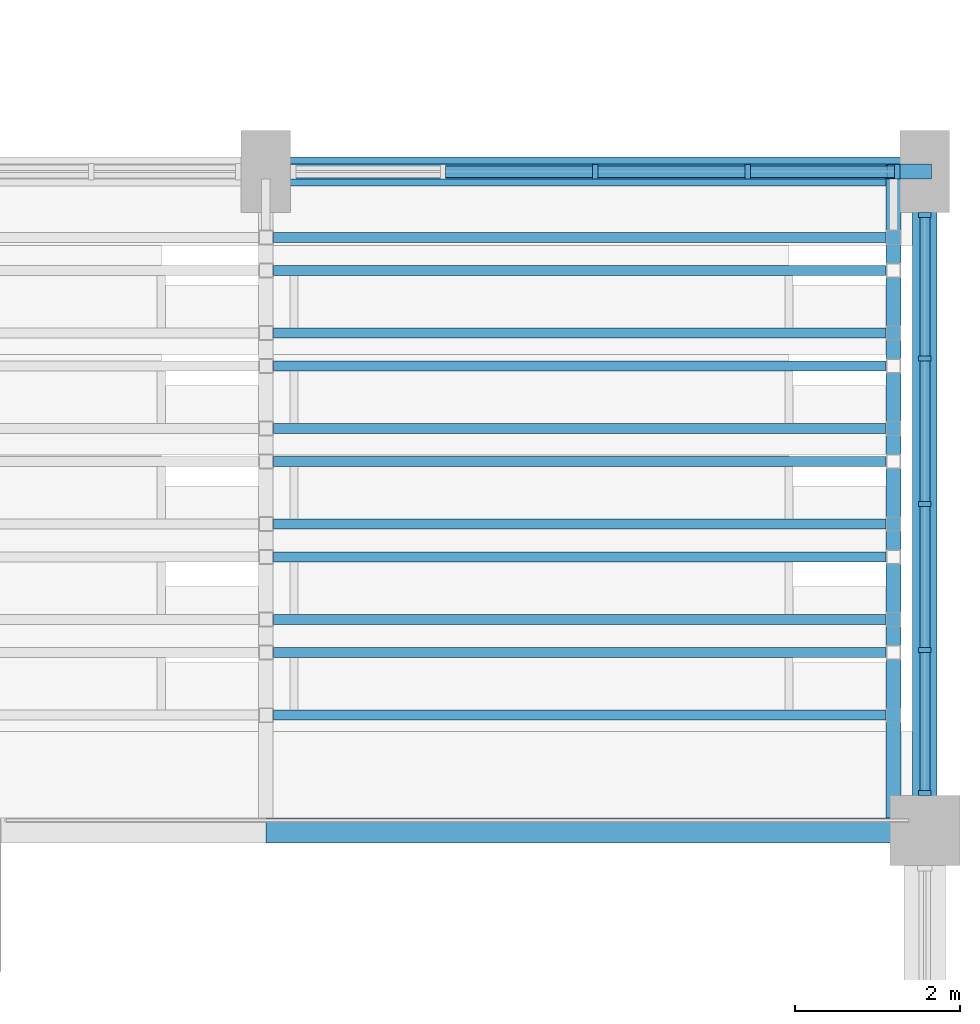
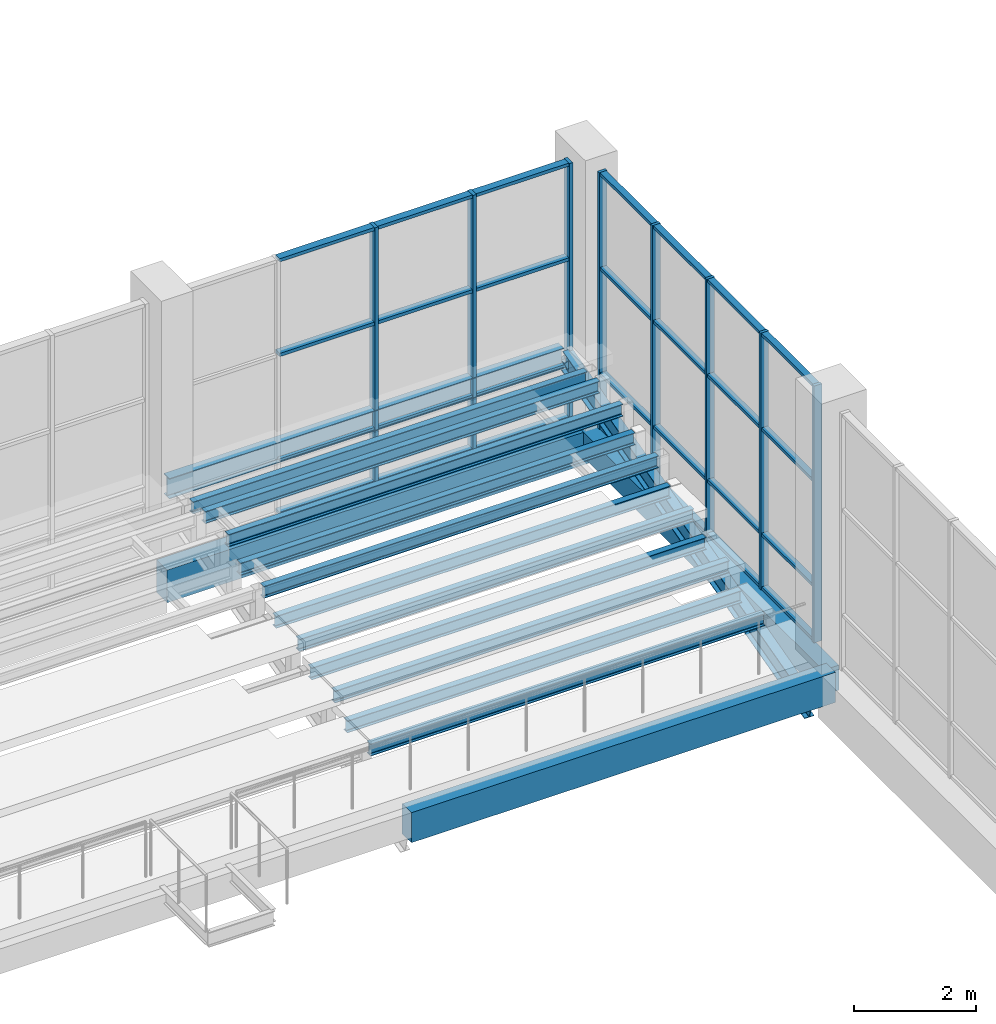
# One storey, part 57 of 122: 37 members, 16 beams, 2 elements without a shape of their own.
"""IFC4 building model written with IfcOpenShell, lengths in metres."""

from ifc_helpers import new_model, si_unit, direction, frame, origin, origin_2d, place, context, subcontext, project, spatial, rectangle, hollow_rectangle, i_section, extrude, material, material_profile, profile_set, type_object, element, aggregate, save


model = new_model("IFC4")

# Units and contexts
model_context = context("Model", 3, precision=1e-05, world=origin(), true_north=direction((0.0, 1.0)))
body_context = subcontext(model_context, "Body", "Model", "MODEL_VIEW")
ifc_project = project(units=[si_unit("LENGTHUNIT", "METRE"), si_unit("AREAUNIT", "SQUARE_METRE"), si_unit("VOLUMEUNIT", "CUBIC_METRE"), si_unit("PLANEANGLEUNIT", "RADIAN"), si_unit("MASSUNIT", "GRAM", prefix="KILO")], contexts=[model_context])

# Site, building, storey
site_placement = place(None, origin())
site = spatial("IfcSite", under=ifc_project, at=site_placement, CompositionType="ELEMENT")
building_placement = place(site_placement, origin())
building = spatial("IfcBuilding", under=site, at=building_placement, Name="Tenunan Teduh Sports Hall", CompositionType="ELEMENT")
storey_placement = place(building_placement, frame((0.0, 0.0, 5.39990234375)))
storey = spatial("IfcBuildingStorey", under=building, at=storey_placement, Name="L01", CompositionType="ELEMENT", Elevation=5.39990234375)

# Beams
ifc_material_1 = material(Name="Concrete C40/50", Category="concrete")
ifc_material_profile_1 = material_profile(ifc_material_1, rectangle(XDim=0.300048828125, YDim=0.5, at=origin_2d()), Name="RCB 300x500")
ifc_profile_set_1 = profile_set([ifc_material_profile_1], Name="Concrete C40/50")
beam_type_1 = type_object("IfcBeamType", Name="BM-RC-300x500", PredefinedType="BEAM", material=ifc_profile_set_1)
beam_1_placement = place(storey_placement, frame((170.0, 38.0, -0.510009765625), z_axis=(0.0, 1.0, 0.0), x_axis=(-1.0, 0.0, 0.0)))
element("IfcBeam", 1, at=beam_1_placement, inside=storey, type_object=beam_type_1, Name="BM-B-01-L01-1307", PredefinedType="BEAM", context=body_context, shape_type="SweptSolid", body=[
    extrude(rectangle(XDim=0.300048828125, YDim=0.5, at=origin_2d()), origin(), (0.0, 0.0, 1.0), 8.0),
])
ifc_material_2 = material(Name="Concrete C40/50", Category="concrete")
ifc_material_profile_2 = material_profile(ifc_material_2, rectangle(XDim=0.300048828125, YDim=0.60009765625, at=origin_2d()), Name="RCB 300x600")
ifc_profile_set_2 = profile_set([ifc_material_profile_2], Name="Concrete C40/50")
beam_type_2 = type_object("IfcBeamType", Name="BM-RC-300x600", PredefinedType="BEAM", material=ifc_profile_set_2)
beam_2_placement = place(storey_placement, frame((162.0, 38.0, -0.559814453125), z_axis=(1.0, 0.0, 0.0), x_axis=(0.0, 1.0, 0.0)))
element("IfcBeam", 2, at=beam_2_placement, inside=storey, type_object=beam_type_2, Name="BM-B-03-L01-1069", PredefinedType="BEAM", context=body_context, shape_type="SweptSolid", body=[
    extrude(rectangle(XDim=0.300048828125, YDim=0.60009765625, at=origin_2d()), origin(), (0.0, 0.0, 1.0), 8.0),
])
ifc_material_3 = material(Name="Concrete C40/50", Category="concrete")
ifc_material_profile_3 = material_profile(ifc_material_3, rectangle(XDim=0.35009765625, YDim=0.64990234375, at=origin_2d()), Name="RCB 350x650")
ifc_profile_set_3 = profile_set([ifc_material_profile_3], Name="Concrete C40/50")
beam_type_3 = type_object("IfcBeamType", Name="BM-RC-350x650", PredefinedType="BEAM", material=ifc_profile_set_3)
beam_3_placement = place(storey_placement, frame((162.0, 46.0, -0.5849609375), z_axis=(1.0, 0.0, 0.0), x_axis=(0.0, 1.0, 0.0)))
element("IfcBeam", 3, at=beam_3_placement, inside=storey, type_object=beam_type_3, Name="BM-B-05-L01-1087", PredefinedType="BEAM", context=body_context, shape_type="SweptSolid", body=[
    extrude(rectangle(XDim=0.35009765625, YDim=0.64990234375, at=origin_2d()), origin(), (0.0, 0.0, 1.0), 8.0),
])

# Curtain wall, members
ifc_material_4 = material(Name="Anodised aluminium", Category="aluminium")
curtain_wall_type = type_object("IfcCurtainWallType", Name="CW-UNIT-1", PredefinedType="NOTDEFINED", material=ifc_material_4)
curtain_wall_1_placement = place(storey_placement, origin())
curtain_wall_1 = element("IfcCurtainWall", 4, at=curtain_wall_1_placement, inside=storey, type_object=curtain_wall_type, Name="CW-CWM-150-L01-019", PredefinedType="NOTDEFINED")
ifc_material_5 = material(Name="Anodised aluminium", Category="aluminium")
ifc_material_profile_4 = material_profile(ifc_material_5, rectangle(XDim=0.06005859375, YDim=0.14990234375, at=origin_2d()), Name="CWM 60x150")
ifc_profile_set_4 = profile_set([ifc_material_profile_4], Name="Anodised aluminium")
member_type_1 = type_object("IfcMemberType", Name="CWM-150", PredefinedType="MULLION", material=ifc_profile_set_4)
member_1_placement = place(storey_placement, frame((170.0, 38.455078125, 0.0), z_axis=(0.0, 0.0, 1.0), x_axis=(0.0, 1.0, 0.0)))
member_1 = element("IfcMember", 5, at=member_1_placement, type_object=member_type_1, Name="CW-01 mullion 1", PredefinedType="MULLION", context=body_context, shape_type="SweptSolid", body=[
    extrude(rectangle(XDim=0.06005859375, YDim=0.14990234375, at=origin_2d()), origin(), (0.0, 0.0, 1.0), 5.1201171875),
])
member_2_placement = place(storey_placement, frame((170.0, 40.19384765625, 0.0), z_axis=(0.0, 0.0, 1.0), x_axis=(0.0, 1.0, 0.0)))
member_2 = element("IfcMember", 6, at=member_2_placement, type_object=member_type_1, Name="CW-01 mullion 2", PredefinedType="MULLION", context=body_context, shape_type="SweptSolid", body=[
    extrude(rectangle(XDim=0.06005859375, YDim=0.14990234375, at=origin_2d()), origin(), (0.0, 0.0, 1.0), 5.1201171875),
])
member_3_placement = place(storey_placement, frame((170.0, 41.96240234375, 0.0), z_axis=(0.0, 0.0, 1.0), x_axis=(0.0, 1.0, 0.0)))
member_3 = element("IfcMember", 7, at=member_3_placement, type_object=member_type_1, Name="CW-01 mullion 3", PredefinedType="MULLION", context=body_context, shape_type="SweptSolid", body=[
    extrude(rectangle(XDim=0.06005859375, YDim=0.14990234375, at=origin_2d()), origin(), (0.0, 0.0, 1.0), 5.1201171875),
])
member_4_placement = place(storey_placement, frame((170.0, 43.731201171875, 0.0), z_axis=(0.0, 0.0, 1.0), x_axis=(0.0, 1.0, 0.0)))
member_4 = element("IfcMember", 8, at=member_4_placement, type_object=member_type_1, Name="CW-01 mullion 4", PredefinedType="MULLION", context=body_context, shape_type="SweptSolid", body=[
    extrude(rectangle(XDim=0.06005859375, YDim=0.14990234375, at=origin_2d()), origin(), (0.0, 0.0, 1.0), 5.1201171875),
])
member_5_placement = place(storey_placement, frame((170.0, 45.469970703125, 0.0), z_axis=(0.0, 0.0, 1.0), x_axis=(0.0, 1.0, 0.0)))
member_5 = element("IfcMember", 9, at=member_5_placement, type_object=member_type_1, Name="CW-01 mullion 5", PredefinedType="MULLION", context=body_context, shape_type="SweptSolid", body=[
    extrude(rectangle(XDim=0.06005859375, YDim=0.14990234375, at=origin_2d()), origin(), (0.0, 0.0, 1.0), 5.1201171875),
])

curtain_wall_2_placement = place(storey_placement, origin())
curtain_wall_2 = element("IfcCurtainWall", 10, at=curtain_wall_2_placement, inside=storey, type_object=curtain_wall_type, Name="CW-CWM-175-L01-014", PredefinedType="NOTDEFINED")
ifc_material_6 = material(Name="Anodised aluminium", Category="aluminium")
ifc_material_profile_5 = material_profile(ifc_material_6, rectangle(XDim=0.06494140625, YDim=0.175048828125, at=origin_2d()), Name="CWM 65x175")
ifc_profile_set_5 = profile_set([ifc_material_profile_5], Name="Anodised aluminium")
member_type_2 = type_object("IfcMemberType", Name="CWM-175", PredefinedType="MULLION", material=ifc_profile_set_5)
member_6_placement = place(storey_placement, frame((166.0, 46.0, 0.0), z_axis=(0.0, 0.0, 1.0), x_axis=(1.0, 0.0, 0.0)))
member_6 = element("IfcMember", 11, at=member_6_placement, type_object=member_type_2, Name="CW-01 mullion 3", PredefinedType="MULLION", context=body_context, shape_type="SweptSolid", body=[
    extrude(rectangle(XDim=0.06494140625, YDim=0.175048828125, at=origin_2d()), origin(), (0.0, 0.0, 1.0), 5.1201171875),
])
member_7_placement = place(storey_placement, frame((167.85009765625, 46.0, 0.0), z_axis=(0.0, 0.0, 1.0), x_axis=(1.0, 0.0, 0.0)))
member_7 = element("IfcMember", 12, at=member_7_placement, type_object=member_type_2, Name="CW-01 mullion 4", PredefinedType="MULLION", context=body_context, shape_type="SweptSolid", body=[
    extrude(rectangle(XDim=0.06494140625, YDim=0.175048828125, at=origin_2d()), origin(), (0.0, 0.0, 1.0), 5.1201171875),
])
member_8_placement = place(storey_placement, frame((169.66748046875, 46.0, 0.0), z_axis=(0.0, 0.0, 1.0), x_axis=(1.0, 0.0, 0.0)))
member_8 = element("IfcMember", 13, at=member_8_placement, type_object=member_type_2, Name="CW-01 mullion 5", PredefinedType="MULLION", context=body_context, shape_type="SweptSolid", body=[
    extrude(rectangle(XDim=0.06494140625, YDim=0.175048828125, at=origin_2d()), origin(), (0.0, 0.0, 1.0), 5.1201171875),
])

# Member
ifc_material_7 = material(Name="Anodised aluminium", Category="aluminium")
ifc_material_profile_6 = material_profile(ifc_material_7, rectangle(XDim=0.06005859375, YDim=0.1201171875, at=origin_2d()), Name="CWT 60x120")
ifc_profile_set_6 = profile_set([ifc_material_profile_6], Name="Anodised aluminium")
member_type_3 = type_object("IfcMemberType", Name="CWT-125", PredefinedType="USERDEFINED", material=ifc_profile_set_6)
member_9_placement = place(storey_placement, frame((170.0, 38.485107421875, 0.030029296875), z_axis=(0.0, 1.0, 0.0), x_axis=(0.0, 0.0, 1.0)))
member_9 = element("IfcMember", 14, at=member_9_placement, type_object=member_type_3, Name="CW-01 transom 1.1", ObjectType="TRANSOM", PredefinedType="USERDEFINED", context=body_context, shape_type="SweptSolid", body=[
    extrude(rectangle(XDim=0.06005859375, YDim=0.1201171875, at=origin_2d()), origin(), (0.0, 0.0, 1.0), 1.6787109375),
])

member_10_placement = place(storey_placement, frame((170.0, 38.485107421875, 1.10009765625), z_axis=(0.0, 1.0, 0.0), x_axis=(0.0, 0.0, 1.0)))
member_10 = element("IfcMember", 15, at=member_10_placement, type_object=member_type_3, Name="CW-01 transom 1.2", ObjectType="TRANSOM", PredefinedType="USERDEFINED", context=body_context, shape_type="SweptSolid", body=[
    extrude(rectangle(XDim=0.06005859375, YDim=0.1201171875, at=origin_2d()), origin(), (0.0, 0.0, 1.0), 1.6787109375),
])

member_11_placement = place(storey_placement, frame((170.0, 38.485107421875, 3.2001953125), z_axis=(0.0, 1.0, 0.0), x_axis=(0.0, 0.0, 1.0)))
member_11 = element("IfcMember", 16, at=member_11_placement, type_object=member_type_3, Name="CW-01 transom 1.3", ObjectType="TRANSOM", PredefinedType="USERDEFINED", context=body_context, shape_type="SweptSolid", body=[
    extrude(rectangle(XDim=0.06005859375, YDim=0.1201171875, at=origin_2d()), origin(), (0.0, 0.0, 1.0), 1.6787109375),
])

member_12_placement = place(storey_placement, frame((170.0, 38.485107421875, 5.090087890625), z_axis=(0.0, 1.0, 0.0), x_axis=(0.0, 0.0, 1.0)))
member_12 = element("IfcMember", 17, at=member_12_placement, type_object=member_type_3, Name="CW-01 transom 1.4", ObjectType="TRANSOM", PredefinedType="USERDEFINED", context=body_context, shape_type="SweptSolid", body=[
    extrude(rectangle(XDim=0.06005859375, YDim=0.1201171875, at=origin_2d()), origin(), (0.0, 0.0, 1.0), 1.6787109375),
])

member_13_placement = place(storey_placement, frame((170.0, 40.2236328125, 0.030029296875), z_axis=(0.0, 1.0, 0.0), x_axis=(0.0, 0.0, 1.0)))
member_13 = element("IfcMember", 18, at=member_13_placement, type_object=member_type_3, Name="CW-01 transom 2.1", ObjectType="TRANSOM", PredefinedType="USERDEFINED", context=body_context, shape_type="SweptSolid", body=[
    extrude(rectangle(XDim=0.06005859375, YDim=0.1201171875, at=origin_2d()), origin(), (0.0, 0.0, 1.0), 1.708984375),
])

member_14_placement = place(storey_placement, frame((170.0, 40.2236328125, 1.10009765625), z_axis=(0.0, 1.0, 0.0), x_axis=(0.0, 0.0, 1.0)))
member_14 = element("IfcMember", 19, at=member_14_placement, type_object=member_type_3, Name="CW-01 transom 2.2", ObjectType="TRANSOM", PredefinedType="USERDEFINED", context=body_context, shape_type="SweptSolid", body=[
    extrude(rectangle(XDim=0.06005859375, YDim=0.1201171875, at=origin_2d()), origin(), (0.0, 0.0, 1.0), 1.708984375),
])

member_15_placement = place(storey_placement, frame((170.0, 40.2236328125, 3.2001953125), z_axis=(0.0, 1.0, 0.0), x_axis=(0.0, 0.0, 1.0)))
member_15 = element("IfcMember", 20, at=member_15_placement, type_object=member_type_3, Name="CW-01 transom 2.3", ObjectType="TRANSOM", PredefinedType="USERDEFINED", context=body_context, shape_type="SweptSolid", body=[
    extrude(rectangle(XDim=0.06005859375, YDim=0.1201171875, at=origin_2d()), origin(), (0.0, 0.0, 1.0), 1.708984375),
])

member_16_placement = place(storey_placement, frame((170.0, 40.2236328125, 5.090087890625), z_axis=(0.0, 1.0, 0.0), x_axis=(0.0, 0.0, 1.0)))
member_16 = element("IfcMember", 21, at=member_16_placement, type_object=member_type_3, Name="CW-01 transom 2.4", ObjectType="TRANSOM", PredefinedType="USERDEFINED", context=body_context, shape_type="SweptSolid", body=[
    extrude(rectangle(XDim=0.06005859375, YDim=0.1201171875, at=origin_2d()), origin(), (0.0, 0.0, 1.0), 1.708984375),
])

member_17_placement = place(storey_placement, frame((170.0, 41.992431640625, 0.030029296875), z_axis=(0.0, 1.0, 0.0), x_axis=(0.0, 0.0, 1.0)))
member_17 = element("IfcMember", 22, at=member_17_placement, type_object=member_type_3, Name="CW-01 transom 3.1", ObjectType="TRANSOM", PredefinedType="USERDEFINED", context=body_context, shape_type="SweptSolid", body=[
    extrude(rectangle(XDim=0.06005859375, YDim=0.1201171875, at=origin_2d()), origin(), (0.0, 0.0, 1.0), 1.708740234375),
])

member_18_placement = place(storey_placement, frame((170.0, 41.992431640625, 1.10009765625), z_axis=(0.0, 1.0, 0.0), x_axis=(0.0, 0.0, 1.0)))
member_18 = element("IfcMember", 23, at=member_18_placement, type_object=member_type_3, Name="CW-01 transom 3.2", ObjectType="TRANSOM", PredefinedType="USERDEFINED", context=body_context, shape_type="SweptSolid", body=[
    extrude(rectangle(XDim=0.06005859375, YDim=0.1201171875, at=origin_2d()), origin(), (0.0, 0.0, 1.0), 1.708740234375),
])

member_19_placement = place(storey_placement, frame((170.0, 41.992431640625, 3.2001953125), z_axis=(0.0, 1.0, 0.0), x_axis=(0.0, 0.0, 1.0)))
member_19 = element("IfcMember", 24, at=member_19_placement, type_object=member_type_3, Name="CW-01 transom 3.3", ObjectType="TRANSOM", PredefinedType="USERDEFINED", context=body_context, shape_type="SweptSolid", body=[
    extrude(rectangle(XDim=0.06005859375, YDim=0.1201171875, at=origin_2d()), origin(), (0.0, 0.0, 1.0), 1.708740234375),
])

member_20_placement = place(storey_placement, frame((170.0, 41.992431640625, 5.090087890625), z_axis=(0.0, 1.0, 0.0), x_axis=(0.0, 0.0, 1.0)))
member_20 = element("IfcMember", 25, at=member_20_placement, type_object=member_type_3, Name="CW-01 transom 3.4", ObjectType="TRANSOM", PredefinedType="USERDEFINED", context=body_context, shape_type="SweptSolid", body=[
    extrude(rectangle(XDim=0.06005859375, YDim=0.1201171875, at=origin_2d()), origin(), (0.0, 0.0, 1.0), 1.708740234375),
])

member_21_placement = place(storey_placement, frame((170.0, 43.76123046875, 0.030029296875), z_axis=(0.0, 1.0, 0.0), x_axis=(0.0, 0.0, 1.0)))
member_21 = element("IfcMember", 26, at=member_21_placement, type_object=member_type_3, Name="CW-01 transom 4.1", ObjectType="TRANSOM", PredefinedType="USERDEFINED", context=body_context, shape_type="SweptSolid", body=[
    extrude(rectangle(XDim=0.06005859375, YDim=0.1201171875, at=origin_2d()), origin(), (0.0, 0.0, 1.0), 1.6787109375),
])

member_22_placement = place(storey_placement, frame((170.0, 43.76123046875, 1.10009765625), z_axis=(0.0, 1.0, 0.0), x_axis=(0.0, 0.0, 1.0)))
member_22 = element("IfcMember", 27, at=member_22_placement, type_object=member_type_3, Name="CW-01 transom 4.2", ObjectType="TRANSOM", PredefinedType="USERDEFINED", context=body_context, shape_type="SweptSolid", body=[
    extrude(rectangle(XDim=0.06005859375, YDim=0.1201171875, at=origin_2d()), origin(), (0.0, 0.0, 1.0), 1.6787109375),
])

member_23_placement = place(storey_placement, frame((170.0, 43.76123046875, 3.2001953125), z_axis=(0.0, 1.0, 0.0), x_axis=(0.0, 0.0, 1.0)))
member_23 = element("IfcMember", 28, at=member_23_placement, type_object=member_type_3, Name="CW-01 transom 4.3", ObjectType="TRANSOM", PredefinedType="USERDEFINED", context=body_context, shape_type="SweptSolid", body=[
    extrude(rectangle(XDim=0.06005859375, YDim=0.1201171875, at=origin_2d()), origin(), (0.0, 0.0, 1.0), 1.6787109375),
])

member_24_placement = place(storey_placement, frame((170.0, 43.76123046875, 5.090087890625), z_axis=(0.0, 1.0, 0.0), x_axis=(0.0, 0.0, 1.0)))
member_24 = element("IfcMember", 29, at=member_24_placement, type_object=member_type_3, Name="CW-01 transom 4.4", ObjectType="TRANSOM", PredefinedType="USERDEFINED", context=body_context, shape_type="SweptSolid", body=[
    extrude(rectangle(XDim=0.06005859375, YDim=0.1201171875, at=origin_2d()), origin(), (0.0, 0.0, 1.0), 1.6787109375),
])

aggregate(curtain_wall_1, [member_1, member_2, member_3, member_4, member_5, member_9, member_10, member_11, member_12, member_13, member_14, member_15, member_16, member_17, member_18, member_19, member_20, member_21, member_22, member_23, member_24])

ifc_material_8 = material(Name="Anodised aluminium", Category="aluminium")
ifc_material_profile_7 = material_profile(ifc_material_8, rectangle(XDim=0.06494140625, YDim=0.139892578125, at=origin_2d()), Name="CWT 65x140")
ifc_profile_set_7 = profile_set([ifc_material_profile_7], Name="Anodised aluminium")
member_type_4 = type_object("IfcMemberType", Name="CWT-150", PredefinedType="USERDEFINED", material=ifc_profile_set_7)
member_25_placement = place(storey_placement, frame((164.1826171875, 46.0, 0.03271484375), z_axis=(1.0, 0.0, 0.0), x_axis=(0.0, 0.0, 1.0)))
member_25 = element("IfcMember", 30, at=member_25_placement, type_object=member_type_4, Name="CW-01 transom 2.1", ObjectType="TRANSOM", PredefinedType="USERDEFINED", context=body_context, shape_type="SweptSolid", body=[
    extrude(rectangle(XDim=0.06494140625, YDim=0.139892578125, at=origin_2d()), origin(), (0.0, 0.0, 1.0), 1.784912109375),
])

member_26_placement = place(storey_placement, frame((164.1826171875, 46.0, 1.10009765625), z_axis=(1.0, 0.0, 0.0), x_axis=(0.0, 0.0, 1.0)))
member_26 = element("IfcMember", 31, at=member_26_placement, type_object=member_type_4, Name="CW-01 transom 2.2", ObjectType="TRANSOM", PredefinedType="USERDEFINED", context=body_context, shape_type="SweptSolid", body=[
    extrude(rectangle(XDim=0.06494140625, YDim=0.139892578125, at=origin_2d()), origin(), (0.0, 0.0, 1.0), 1.784912109375),
])

member_27_placement = place(storey_placement, frame((164.1826171875, 46.0, 3.2001953125), z_axis=(1.0, 0.0, 0.0), x_axis=(0.0, 0.0, 1.0)))
member_27 = element("IfcMember", 32, at=member_27_placement, type_object=member_type_4, Name="CW-01 transom 2.3", ObjectType="TRANSOM", PredefinedType="USERDEFINED", context=body_context, shape_type="SweptSolid", body=[
    extrude(rectangle(XDim=0.06494140625, YDim=0.139892578125, at=origin_2d()), origin(), (0.0, 0.0, 1.0), 1.784912109375),
])

member_28_placement = place(storey_placement, frame((164.1826171875, 46.0, 5.087646484375), z_axis=(1.0, 0.0, 0.0), x_axis=(0.0, 0.0, 1.0)))
member_28 = element("IfcMember", 33, at=member_28_placement, type_object=member_type_4, Name="CW-01 transom 2.4", ObjectType="TRANSOM", PredefinedType="USERDEFINED", context=body_context, shape_type="SweptSolid", body=[
    extrude(rectangle(XDim=0.06494140625, YDim=0.139892578125, at=origin_2d()), origin(), (0.0, 0.0, 1.0), 1.784912109375),
])

member_29_placement = place(storey_placement, frame((166.032470703125, 46.0, 0.03271484375), z_axis=(1.0, 0.0, 0.0), x_axis=(0.0, 0.0, 1.0)))
member_29 = element("IfcMember", 34, at=member_29_placement, type_object=member_type_4, Name="CW-01 transom 3.1", ObjectType="TRANSOM", PredefinedType="USERDEFINED", context=body_context, shape_type="SweptSolid", body=[
    extrude(rectangle(XDim=0.06494140625, YDim=0.139892578125, at=origin_2d()), origin(), (0.0, 0.0, 1.0), 1.784912109375),
])

member_30_placement = place(storey_placement, frame((166.032470703125, 46.0, 1.10009765625), z_axis=(1.0, 0.0, 0.0), x_axis=(0.0, 0.0, 1.0)))
member_30 = element("IfcMember", 35, at=member_30_placement, type_object=member_type_4, Name="CW-01 transom 3.2", ObjectType="TRANSOM", PredefinedType="USERDEFINED", context=body_context, shape_type="SweptSolid", body=[
    extrude(rectangle(XDim=0.06494140625, YDim=0.139892578125, at=origin_2d()), origin(), (0.0, 0.0, 1.0), 1.784912109375),
])

member_31_placement = place(storey_placement, frame((166.032470703125, 46.0, 3.2001953125), z_axis=(1.0, 0.0, 0.0), x_axis=(0.0, 0.0, 1.0)))
member_31 = element("IfcMember", 36, at=member_31_placement, type_object=member_type_4, Name="CW-01 transom 3.3", ObjectType="TRANSOM", PredefinedType="USERDEFINED", context=body_context, shape_type="SweptSolid", body=[
    extrude(rectangle(XDim=0.06494140625, YDim=0.139892578125, at=origin_2d()), origin(), (0.0, 0.0, 1.0), 1.784912109375),
])

member_32_placement = place(storey_placement, frame((166.032470703125, 46.0, 5.087646484375), z_axis=(1.0, 0.0, 0.0), x_axis=(0.0, 0.0, 1.0)))
member_32 = element("IfcMember", 37, at=member_32_placement, type_object=member_type_4, Name="CW-01 transom 3.4", ObjectType="TRANSOM", PredefinedType="USERDEFINED", context=body_context, shape_type="SweptSolid", body=[
    extrude(rectangle(XDim=0.06494140625, YDim=0.139892578125, at=origin_2d()), origin(), (0.0, 0.0, 1.0), 1.784912109375),
])

member_33_placement = place(storey_placement, frame((167.882568359375, 46.0, 0.03271484375), z_axis=(1.0, 0.0, 0.0), x_axis=(0.0, 0.0, 1.0)))
member_33 = element("IfcMember", 38, at=member_33_placement, type_object=member_type_4, Name="CW-01 transom 4.1", ObjectType="TRANSOM", PredefinedType="USERDEFINED", context=body_context, shape_type="SweptSolid", body=[
    extrude(rectangle(XDim=0.06494140625, YDim=0.139892578125, at=origin_2d()), origin(), (0.0, 0.0, 1.0), 1.75244140625),
])

member_34_placement = place(storey_placement, frame((167.882568359375, 46.0, 1.10009765625), z_axis=(1.0, 0.0, 0.0), x_axis=(0.0, 0.0, 1.0)))
member_34 = element("IfcMember", 39, at=member_34_placement, type_object=member_type_4, Name="CW-01 transom 4.2", ObjectType="TRANSOM", PredefinedType="USERDEFINED", context=body_context, shape_type="SweptSolid", body=[
    extrude(rectangle(XDim=0.06494140625, YDim=0.139892578125, at=origin_2d()), origin(), (0.0, 0.0, 1.0), 1.75244140625),
])

member_35_placement = place(storey_placement, frame((167.882568359375, 46.0, 3.2001953125), z_axis=(1.0, 0.0, 0.0), x_axis=(0.0, 0.0, 1.0)))
member_35 = element("IfcMember", 40, at=member_35_placement, type_object=member_type_4, Name="CW-01 transom 4.3", ObjectType="TRANSOM", PredefinedType="USERDEFINED", context=body_context, shape_type="SweptSolid", body=[
    extrude(rectangle(XDim=0.06494140625, YDim=0.139892578125, at=origin_2d()), origin(), (0.0, 0.0, 1.0), 1.75244140625),
])

member_36_placement = place(storey_placement, frame((167.882568359375, 46.0, 5.087646484375), z_axis=(1.0, 0.0, 0.0), x_axis=(0.0, 0.0, 1.0)))
member_36 = element("IfcMember", 41, at=member_36_placement, type_object=member_type_4, Name="CW-01 transom 4.4", ObjectType="TRANSOM", PredefinedType="USERDEFINED", context=body_context, shape_type="SweptSolid", body=[
    extrude(rectangle(XDim=0.06494140625, YDim=0.139892578125, at=origin_2d()), origin(), (0.0, 0.0, 1.0), 1.75244140625),
])

aggregate(curtain_wall_2, [member_6, member_7, member_8, member_25, member_26, member_27, member_28, member_29, member_30, member_31, member_32, member_33, member_34, member_35, member_36])

# Beams
ifc_material_9 = material(Name="Steel S355", Category="steel")
ifc_material_profile_8 = material_profile(ifc_material_9, i_section(OverallWidth=0.1201171875, OverallDepth=0.239990234375, WebThickness=0.006103515625, FlangeThickness=0.009765625, FilletRadius=0.014892578125, at=origin_2d()), Name="IPE 240")
ifc_profile_set_8 = profile_set([ifc_material_profile_8], Name="Steel S355")
beam_type_4 = type_object("IfcBeamType", Name="JST-IPE240", PredefinedType="JOIST", material=ifc_profile_set_8)
for number, where, z_axis, x_axis, name in (
    (42, (162.090087890625, 45.199951171875, 1.360107421875), (1.0, 0.0, 0.0), (0.0, 1.0, 0.0), "BM-J-02-L01-2267"),
    (43, (162.090087890625, 39.39990234375, 0.050048828125), (1.0, 0.0, 0.0), (0.0, 1.0, 0.0), "BM-J-02-L01-2368"),
    (44, (162.090087890625, 40.159912109375, 0.050048828125), (1.0, 0.0, 0.0), (0.0, 1.0, 0.0), "BM-J-02-L01-2369"),
    (45, (162.090087890625, 40.56005859375, 0.405029296875), (1.0, 0.0, 0.0), (0.0, 1.0, 0.0), "BM-J-02-L01-2372"),
    (46, (162.090087890625, 41.320068359375, 0.405029296875), (1.0, 0.0, 0.0), (0.0, 1.0, 0.0), "BM-J-02-L01-2373"),
    (47, (162.090087890625, 41.719970703125, 0.72998046875), (1.0, 0.0, 0.0), (0.0, 1.0, 0.0), "BM-J-02-L01-2376"),
    (48, (162.090087890625, 42.47998046875, 0.72998046875), (1.0, 0.0, 0.0), (0.0, 1.0, 0.0), "BM-J-02-L01-2377"),
    (49, (162.090087890625, 42.8798828125, 1.085205078125), (1.0, 0.0, 0.0), (0.0, 1.0, 0.0), "BM-J-02-L01-2380"),
    (50, (162.090087890625, 43.639892578125, 1.085205078125), (1.0, 0.0, 0.0), (0.0, 1.0, 0.0), "BM-J-02-L01-2381"),
    (51, (162.090087890625, 44.0400390625, 1.41015625), (1.0, 0.0, 0.0), (0.0, 1.0, 0.0), "BM-J-02-L01-2384"),
    (52, (162.090087890625, 44.800048828125, 1.41015625), (1.0, 0.0, 0.0), (0.0, 1.0, 0.0), "BM-J-02-L01-2385"),
):
    element("IfcBeam", number, at=place(storey_placement, frame(where, z_axis=z_axis, x_axis=x_axis)), inside=storey, type_object=beam_type_4, Name=name, PredefinedType="JOIST", context=body_context, shape_type="SweptSolid", body=[
        extrude(i_section(OverallWidth=0.1201171875, OverallDepth=0.239990234375, WebThickness=0.006103515625, FlangeThickness=0.009765625, FilletRadius=0.014892578125, at=origin_2d()), origin(), (0.0, 0.0, 1.0), 7.43994140625),
    ])

# Member
ifc_material_10 = material(Name="Steel S355", Category="steel")
ifc_material_profile_9 = material_profile(ifc_material_10, hollow_rectangle(XDim=0.179931640625, YDim=0.179931640625, WallThickness=0.010009765625, at=origin_2d()), Name="SHS 180x180x10.0")
ifc_profile_set_9 = profile_set([ifc_material_profile_9], Name="Steel S355")
member_type_5 = type_object("IfcMemberType", Name="MEM-ST-SHS180", PredefinedType="STRUT", material=ifc_profile_set_9)
member_37_placement = place(storey_placement, frame((170.0, 46.0, 0.400146484375), z_axis=(-0.430427451542, 0.0, 0.902625176338), x_axis=(0.0, -1.0, 0.0)))
element("IfcMember", 53, at=member_37_placement, inside=storey, type_object=member_type_5, Name="MEM-VS-03-L01-1291", PredefinedType="STRUT", context=body_context, shape_type="SweptSolid", body=[
    extrude(hollow_rectangle(XDim=0.179931640625, YDim=0.179931640625, WallThickness=0.010009765625, at=origin_2d()), origin(), (0.0, 0.0, 1.0), 0.882568359375),
])

# Beams
ifc_material_11 = material(Name="Steel S355", Category="steel")
ifc_material_profile_10 = material_profile(ifc_material_11, i_section(OverallWidth=0.177978515625, OverallDepth=0.406494140625, WebThickness=0.0078125, FlangeThickness=0.0126953125, FilletRadius=0.01025390625, at=origin_2d()), Name="UKB 406x178x60")
ifc_profile_set_10 = profile_set([ifc_material_profile_10], Name="Steel S355")
beam_type_5 = type_object("IfcBeamType", Name="SBM-UKB406", PredefinedType="BEAM", material=ifc_profile_set_10)
beam_4_placement = place(storey_placement, frame((169.6201171875, 38.0, -0.953125), z_axis=(0.0, 0.965735170115, 0.259529538209), x_axis=(-1.0, 0.0, 0.0)))
element("IfcBeam", 54, at=beam_4_placement, inside=storey, type_object=beam_type_5, Name="BM-SB-03-L01-2254", PredefinedType="BEAM", context=body_context, shape_type="SweptSolid", body=[
    extrude(i_section(OverallWidth=0.177978515625, OverallDepth=0.406494140625, WebThickness=0.0078125, FlangeThickness=0.0126953125, FilletRadius=0.01025390625, at=origin_2d()), origin(), (0.0, 0.0, 1.0), 8.283935546875),
])
beam_5_placement = place(storey_placement, frame((162.090087890625, 46.0, 1.27685546875), z_axis=(1.0, 0.0, 0.0), x_axis=(0.0, 1.0, 0.0)))
element("IfcBeam", 55, at=beam_5_placement, inside=storey, type_object=beam_type_5, Name="BM-SB-03-L01-2266", PredefinedType="BEAM", context=body_context, shape_type="SweptSolid", body=[
    extrude(i_section(OverallWidth=0.177978515625, OverallDepth=0.406494140625, WebThickness=0.0078125, FlangeThickness=0.0126953125, FilletRadius=0.01025390625, at=origin_2d()), origin(), (0.0, 0.0, 1.0), 7.43994140625),
])

save(model, "model.ifc")
